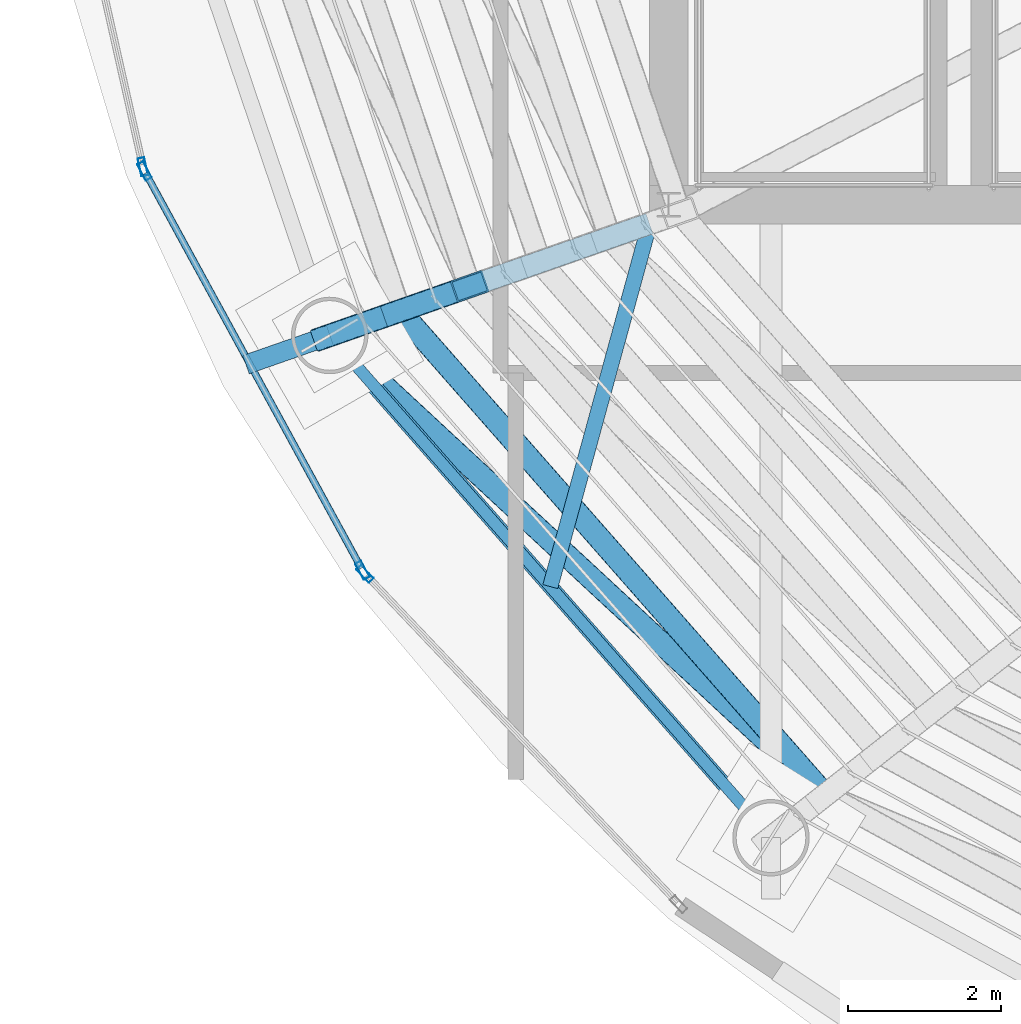
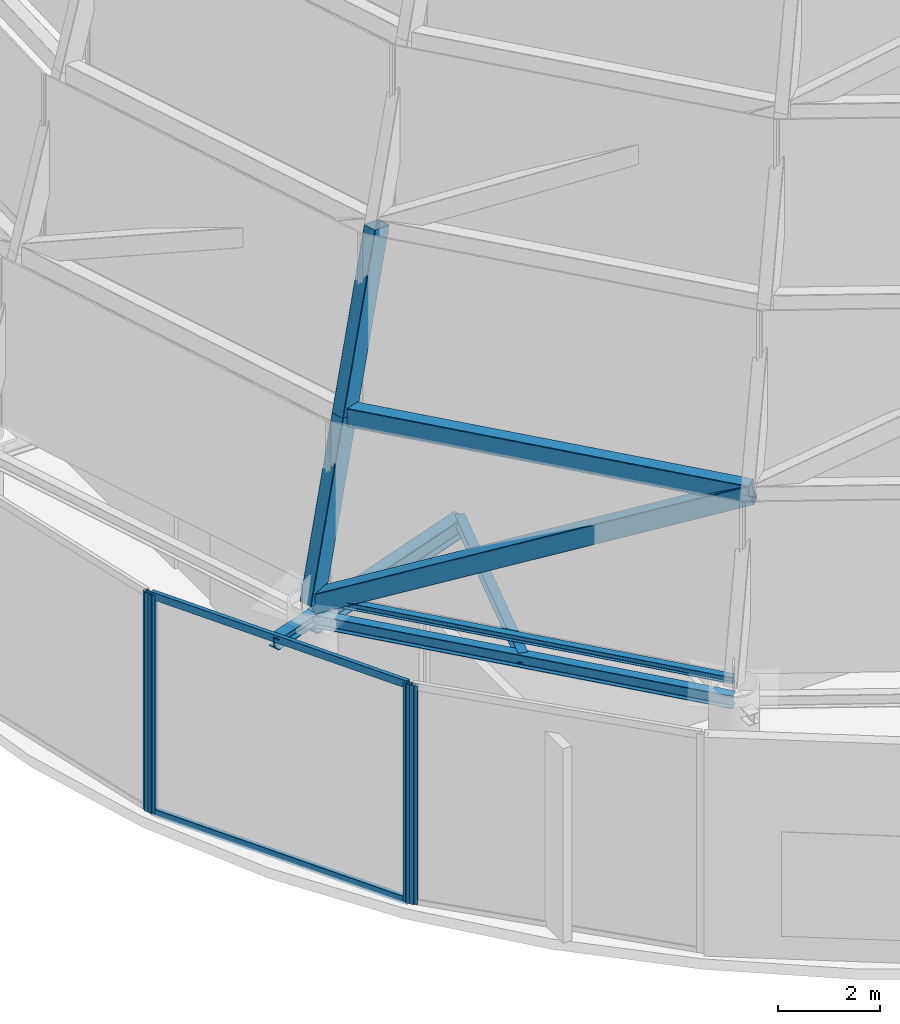
# One storey, part 5 of 40: 10 members, 5 beams, 3 elements without a shape of their own.
"""IFC4 building model written with IfcOpenShell, lengths in metres."""

import ifcopenshell
import ifcopenshell.guid

model = None  # the IFC model being written
_history = None  # IfcOwnerHistory: only IFC2X3 demands one
_inside = {}  # id of a spatial element -> (the spatial element, [elements in it])
_under = {}  # id of a project, library or spatial element -> (it, [spatial elements below it])
_declared = {}  # id of a project -> (the project, [libraries it declares])
_typed = {}  # id of a type object -> (the type object, [elements of that type])
_made_of = {}  # id of a material, layer set ... -> (it, [elements and type objects made of it])


def new_model(schema):
    """Start an empty IFC model of exactly this schema.

    Asked for "IFC4X3", IfcOpenShell would pick the latest addendum, in which some entities
    have other attributes; the version numbers below select the first issue.
    IFC2X3 requires an IfcOwnerHistory on every rooted entity: one is made here for all.
    """
    global model, _history
    if schema == "IFC4X3":
        model = ifcopenshell.file(schema_version=(4, 3, 0, 0))
    else:
        model = ifcopenshell.file(schema=schema)
    _inside.clear()
    _under.clear()
    _declared.clear()
    _typed.clear()
    _made_of.clear()
    _history = None
    if model.schema == "IFC2X3":
        org = make("IfcOrganization", Name="unknown")
        user = make(
            "IfcPersonAndOrganization",
            ThePerson=make("IfcPerson", FamilyName="unknown"),
            TheOrganization=org,
        )
        app = make(
            "IfcApplication",
            ApplicationDeveloper=org,
            Version="unknown",
            ApplicationFullName="unknown",
            ApplicationIdentifier="unknown",
        )
        _history = make(
            "IfcOwnerHistory",
            OwningUser=user,
            OwningApplication=app,
            ChangeAction="ADDED",
            CreationDate=0,
        )
    return model


def make(cls, **values):
    """One entity of the class cls with the attributes given. An attribute that is None is left unset."""
    return model.create_entity(
        cls, **{name: value for name, value in values.items() if value is not None}
    )


def rooted(cls, **values):
    """An entity with a GlobalId (a new one), such as an element, a storey or a relation."""
    return make(cls, GlobalId=ifcopenshell.guid.new(), OwnerHistory=_history, **values)


def si_unit(unit_type, name, prefix=None):
    """IfcSIUnit, for example si_unit("LENGTHUNIT", "METRE", prefix="MILLI")."""
    return make("IfcSIUnit", UnitType=unit_type, Prefix=prefix, Name=name)


def assignment(units):
    """IfcUnitAssignment: the units of a project."""
    return None if units is None else make("IfcUnitAssignment", Units=units)


def point(xyz):
    """IfcCartesianPoint."""
    return None if xyz is None else make("IfcCartesianPoint", Coordinates=xyz)


def direction(xyz):
    """IfcDirection."""
    return None if xyz is None else make("IfcDirection", DirectionRatios=xyz)


def frame(location, z_axis=None, x_axis=None):
    """IfcAxis2Placement3D, a coordinate frame: its origin and axes. An axis left out is left unset."""
    return make(
        "IfcAxis2Placement3D",
        Location=point(location),
        Axis=direction(z_axis),
        RefDirection=direction(x_axis),
    )


def frame_2d(location, x_axis=None):
    """IfcAxis2Placement2D, a coordinate frame in the plane: its origin and x axis."""
    return make(
        "IfcAxis2Placement2D", Location=point(location), RefDirection=direction(x_axis)
    )


def origin():
    """The frame at (0, 0, 0) with its axes left unset."""
    return frame((0.0, 0.0, 0.0))


def origin_2d():
    """The frame at (0, 0) in the plane with its x axis left unset."""
    return frame_2d((0.0, 0.0))


def place(relative_to, where):
    """IfcLocalPlacement: puts the frame where relative to a parent placement (None: the world)."""
    return make(
        "IfcLocalPlacement", PlacementRelTo=relative_to, RelativePlacement=where
    )


def context(
    kind, dimensions, precision=None, world=None, true_north=None, identifier=None
):
    """IfcGeometricRepresentationContext, for example the 3D "Model" context."""
    return make(
        "IfcGeometricRepresentationContext",
        ContextIdentifier=identifier,
        ContextType=kind,
        CoordinateSpaceDimension=dimensions,
        Precision=precision,
        WorldCoordinateSystem=world,
        TrueNorth=true_north,
    )


def subcontext(parent, identifier, kind, view, scale=None):
    """IfcGeometricRepresentationSubContext, for example "Body" below "Model"."""
    return make(
        "IfcGeometricRepresentationSubContext",
        ContextIdentifier=identifier,
        ContextType=kind,
        ParentContext=parent,
        TargetScale=scale,
        TargetView=view,
    )


def project(units=None, contexts=None):
    """IfcProject with its units and contexts."""
    return rooted(
        "IfcProject",
        Name="project",
        RepresentationContexts=contexts,
        UnitsInContext=assignment(units),
    )


def spatial(cls, under=None, at=None, **own):
    """A site, building, storey or space (cls), placed at a placement, below another one or the project."""
    s = rooted(cls, ObjectPlacement=at, **own)
    if under is not None:
        _under.setdefault(under.id(), (under, []))[1].append(s)
    return s


def profile(cls, at=None, kind="AREA", **sizes):
    """A parametric profile (cls). Its sizes go by their IFC names, for example OverallWidth=200.0."""
    return make(cls, ProfileType=kind, Position=at, **sizes)


def hollow_rectangle(**sizes):
    """IfcRectangleHollowProfileDef."""
    return profile("IfcRectangleHollowProfileDef", **sizes)


def i_section(**sizes):
    """IfcIShapeProfileDef."""
    return profile("IfcIShapeProfileDef", **sizes)


def extrude(swept, where, along, depth):
    """IfcExtrudedAreaSolid: the profile swept, set in the frame where, extruded along a direction by depth."""
    return make(
        "IfcExtrudedAreaSolid",
        SweptArea=swept,
        Position=where,
        ExtrudedDirection=direction(along),
        Depth=depth,
    )


def shape(context_of_items, identifier, shape_type, items):
    """IfcShapeRepresentation: the items that make up one representation, for example the "Body"."""
    return make(
        "IfcShapeRepresentation",
        ContextOfItems=context_of_items,
        RepresentationIdentifier=identifier,
        RepresentationType=shape_type,
        Items=items,
    )


def material(Name=None, Category=None):
    """IfcMaterial."""
    return make("IfcMaterial", Name=Name, Category=Category)


def layer(
    of_material, thickness, ventilated=None, Name=None, Category=None, Priority=None
):
    """IfcMaterialLayer: one layer of a wall or slab, of a material (None: an air gap)."""
    return make(
        "IfcMaterialLayer",
        Material=of_material,
        LayerThickness=thickness,
        IsVentilated=ventilated,
        Name=Name,
        Category=Category,
        Priority=Priority,
    )


def layer_set(layers, Name=None):
    """IfcMaterialLayerSet."""
    return make("IfcMaterialLayerSet", MaterialLayers=layers, LayerSetName=Name)


def material_profile(
    of_material, cross_section, Name=None, Category=None, Priority=None
):
    """IfcMaterialProfile: a cross section and its material."""
    return make(
        "IfcMaterialProfile",
        Name=Name,
        Material=of_material,
        Profile=cross_section,
        Priority=Priority,
        Category=Category,
    )


def profile_set(profiles, Name=None, composite=None):
    """IfcMaterialProfileSet."""
    return make(
        "IfcMaterialProfileSet",
        Name=Name,
        MaterialProfiles=profiles,
        CompositeProfile=composite,
    )


def made_of(thing, what):
    """Note that an element or type object is made of a material, layer set ...; save() writes the relation."""
    if what is not None:
        _made_of.setdefault(what.id(), (what, []))[1].append(thing)
    return thing


def type_object(cls, material=None, **own):
    """A type object (cls), such as IfcWallType, which elements share."""
    return made_of(rooted(cls, **own), material)


def element(
    cls,
    number,
    at=None,
    inside=None,
    cuts=None,
    type_object=None,
    material=None,
    context=None,
    identifier="Body",
    shape_type=None,
    held_by="IfcProductDefinitionShape",
    body=None,
    shapes=None,
    **own,
):
    """One element of the class cls, such as IfcWall. Its Tag is "e" and its number.

    at: its placement. inside: the storey or other place that contains it. cuts: it is an
    opening in that element (IfcRelVoidsElement). A single representation is given by context,
    identifier, shape_type and body (its items); several are given by shapes. held_by: the class
    of the entity that holds the representations. save() writes the other relations.
    """
    e = rooted(cls, Tag="e%d" % number, ObjectPlacement=at, **own)
    if body is not None:
        shapes = [shape(context, identifier, shape_type, body)]
    if shapes is not None:
        e.Representation = make(held_by, Representations=shapes)
    if inside is not None:
        _inside.setdefault(inside.id(), (inside, []))[1].append(e)
    if cuts is not None:
        rooted(
            "IfcRelVoidsElement", RelatingBuildingElement=cuts, RelatedOpeningElement=e
        )
    if type_object is not None:
        _typed.setdefault(type_object.id(), (type_object, []))[1].append(e)
    return made_of(e, material)


def aggregate(whole, parts):
    """IfcRelAggregates: a whole, such as a stair, and the parts it consists of."""
    return rooted("IfcRelAggregates", RelatingObject=whole, RelatedObjects=parts)


def save(model, path):
    """Write the relations noted so far, then the file.

    IfcRelAggregates (storeys below a building ...), IfcRelContainedInSpatialStructure (elements
    in a storey), IfcRelDefinesByType, IfcRelAssociatesMaterial and IfcRelDeclares: one each for
    every whole, place, type object, material and project.
    """
    for whole, parts in _under.values():
        aggregate(whole, parts)
    for where, things in _inside.values():
        rooted(
            "IfcRelContainedInSpatialStructure",
            RelatedElements=things,
            RelatingStructure=where,
        )
    for kind, things in _typed.values():
        rooted("IfcRelDefinesByType", RelatedObjects=things, RelatingType=kind)
    for what, things in _made_of.values():
        rooted("IfcRelAssociatesMaterial", RelatedObjects=things, RelatingMaterial=what)
    for by, libraries in _declared.values():
        rooted("IfcRelDeclares", RelatingContext=by, RelatedDefinitions=libraries)
    model.write(path)


model = new_model("IFC4")

# Units and contexts
model_context = context("Model", 3, precision=1e-05, world=origin(), true_north=direction((0.0, 1.0)))
body_context = subcontext(model_context, "Body", "Model", "MODEL_VIEW")
ifc_project = project(units=[si_unit("LENGTHUNIT", "METRE"), si_unit("AREAUNIT", "SQUARE_METRE"), si_unit("VOLUMEUNIT", "CUBIC_METRE"), si_unit("PLANEANGLEUNIT", "RADIAN"), si_unit("MASSUNIT", "GRAM", prefix="KILO")], contexts=[model_context])

# Site, building, storey
site_placement = place(None, origin())
site = spatial("IfcSite", under=ifc_project, at=site_placement, CompositionType="ELEMENT")
building_placement = place(site_placement, origin())
building = spatial("IfcBuilding", under=site, at=building_placement, Name="Bramvorn Convention Spire", CompositionType="ELEMENT")
storey_placement = place(building_placement, frame((0.0, 0.0, 312.5)))
storey = spatial("IfcBuildingStorey", under=building, at=storey_placement, Name="L79", CompositionType="ELEMENT", Elevation=312.5)

# Beams
ifc_material_1 = material(Name="Steel CSA G40.21 Grade 350 (350W)", Category="steel")
ifc_material_profile_1 = material_profile(ifc_material_1, i_section(OverallWidth=0.152099609375, OverallDepth=0.152099609375, WebThickness=0.005859375, FlangeThickness=0.006591796875, FilletRadius=0.008056640625, at=origin_2d()))
ifc_profile_set_1 = profile_set([ifc_material_profile_1], Name="Steel CSA G40.21 Grade 350 (350W) - W150X22")
beam_type_1 = type_object("IfcBeamType", Name="BM-W150X22", PredefinedType="USERDEFINED", material=ifc_profile_set_1)
beam_1_placement = place(storey_placement, frame((22.5673828125, 17.090087890625, 5.60009765625), z_axis=(0.660073062339, -0.751201405999, 0.0), x_axis=(0.751201405999, 0.660073062339, 0.0)))
element("IfcBeam", 1, at=beam_1_placement, inside=storey, type_object=beam_type_1, Name="Crown spire base glazing purlin 13", ObjectType="PURLIN", PredefinedType="USERDEFINED", context=body_context, shape_type="SweptSolid", body=[
    extrude(i_section(OverallWidth=0.152099609375, OverallDepth=0.152099609375, WebThickness=0.005859375, FlangeThickness=0.006591796875, FilletRadius=0.008056640625, at=origin_2d()), origin(), (0.0, 0.0, 1.0), 8.741943359375),
])
ifc_material_profile_2 = material_profile(ifc_material_1, i_section(OverallWidth=0.201904296875, OverallDepth=0.2470703125, WebThickness=0.00732421875, FlangeThickness=0.010986328125, FilletRadius=0.011962890625, at=origin_2d()))
ifc_profile_set_2 = profile_set([ifc_material_profile_2], Name="Steel CSA G40.21 Grade 350 (350W) - W250X49")
beam_type_2 = type_object("IfcBeamType", Name="BM-W250X49", PredefinedType="JOIST", material=ifc_profile_set_2)
beam_2_placement = place(storey_placement, frame((26.75, 18.550048828125, 5.12646484375), z_axis=(-0.26386506219, -0.96455960363, 0.0), x_axis=(0.96455960363, -0.26386506219, 0.0)))
element("IfcBeam", 2, at=beam_2_placement, inside=storey, type_object=beam_type_2, Name="L79 composite floor joist 13", PredefinedType="JOIST", context=body_context, shape_type="SweptSolid", body=[
    extrude(i_section(OverallWidth=0.201904296875, OverallDepth=0.2470703125, WebThickness=0.00732421875, FlangeThickness=0.010986328125, FilletRadius=0.011962890625, at=origin_2d()), origin(), (0.0, 0.0, 1.0), 4.917724609375),
])
ifc_material_profile_3 = material_profile(ifc_material_1, i_section(OverallWidth=0.25390625, OverallDepth=0.2529296875, WebThickness=0.008544921875, FlangeThickness=0.01416015625, FilletRadius=0.011962890625, at=origin_2d()))
ifc_profile_set_3 = profile_set([ifc_material_profile_3], Name="Steel CSA G40.21 Grade 350 (350W) - W250X73")
beam_type_3 = type_object("IfcBeamType", Name="BM-W250X73", PredefinedType="BEAM", material=ifc_profile_set_3)
beam_3_placement = place(storey_placement, frame((22.5673828125, 17.090087890625, 5.12353515625), z_axis=(-0.944143784709, -0.329533782478, 0.0), x_axis=(0.329533782478, -0.944143784709, 0.0)))
element("IfcBeam", 3, at=beam_3_placement, inside=storey, type_object=beam_type_3, Name="L79 slab-edge cantilever tip beam MC13", PredefinedType="BEAM", context=body_context, shape_type="SweptSolid", body=[
    extrude(i_section(OverallWidth=0.25390625, OverallDepth=0.2529296875, WebThickness=0.008544921875, FlangeThickness=0.01416015625, FilletRadius=0.011962890625, at=origin_2d()), origin(), (0.0, 0.0, 1.0), 1.15869140625),
])
ifc_material_profile_4 = material_profile(ifc_material_1, i_section(OverallWidth=0.202880859375, OverallDepth=0.302978515625, WebThickness=0.007568359375, FlangeThickness=0.01318359375, FilletRadius=0.013916015625, at=origin_2d()))
ifc_profile_set_4 = profile_set([ifc_material_profile_4], Name="Steel CSA G40.21 Grade 350 (350W) - W310X60")
beam_type_4 = type_object("IfcBeamType", Name="BM-W310X60", PredefinedType="JOIST", material=ifc_profile_set_4)
beam_4_placement = place(storey_placement, frame((22.5673828125, 17.090087890625, 5.098388671875), z_axis=(0.660073062339, -0.751201405999, 0.0), x_axis=(0.751201405999, 0.660073062339, 0.0)))
element("IfcBeam", 4, at=beam_4_placement, inside=storey, type_object=beam_type_4, Name="L79 mega-column ring beam 13", PredefinedType="JOIST", context=body_context, shape_type="SweptSolid", body=[
    extrude(i_section(OverallWidth=0.202880859375, OverallDepth=0.302978515625, WebThickness=0.007568359375, FlangeThickness=0.01318359375, FilletRadius=0.013916015625, at=origin_2d()), origin(), (0.0, 0.0, 1.0), 8.741943359375),
])
ifc_material_profile_5 = material_profile(ifc_material_1, i_section(OverallWidth=0.283935546875, OverallDepth=0.47607421875, WebThickness=0.014892578125, FlangeThickness=0.02392578125, FilletRadius=0.01806640625, at=origin_2d()))
ifc_profile_set_5 = profile_set([ifc_material_profile_5], Name="Steel CSA G40.21 Grade 350 (350W) - W460X158")
beam_type_5 = type_object("IfcBeamType", Name="BM-W460X158", PredefinedType="SPANDREL", material=ifc_profile_set_5)
beam_5_placement = place(storey_placement, frame((26.75, 18.550048828125, 5.011962890625), z_axis=(-0.944136391877, -0.329554962843, 0.0), x_axis=(0.329554962843, -0.944136391877, 0.0)))
element("IfcBeam", 5, at=beam_5_placement, inside=storey, type_object=beam_type_5, Name="L79 radial floor girder MC13", PredefinedType="SPANDREL", context=body_context, shape_type="SweptSolid", body=[
    extrude(i_section(OverallWidth=0.283935546875, OverallDepth=0.47607421875, WebThickness=0.014892578125, FlangeThickness=0.02392578125, FilletRadius=0.01806640625, at=origin_2d()), origin(), (0.0, 0.0, 1.0), 4.43017578125),
])

# Curtain wall, member
ifc_material_2 = material(Name="Anodised Bronze Unitised Curtain Wall", Category="aluminium")
ifc_layer = layer(ifc_material_2, 0.199951171875)
ifc_layer_set = layer_set([ifc_layer], Name="Anodised Bronze Unitised Curtain Wall - CW-CROWN-SPIRE")
curtain_wall_type = type_object("IfcCurtainWallType", Name="CW-CROWN-SPIRE", PredefinedType="USERDEFINED", material=ifc_layer_set)
curtain_wall_1_placement = place(storey_placement, origin())
curtain_wall_1 = element("IfcCurtainWall", 6, at=curtain_wall_1_placement, inside=storey, type_object=curtain_wall_type, Name="L79 fritted glass curtain wall 18", ObjectType="UNITISED CURTAIN WALL", PredefinedType="USERDEFINED")
ifc_material_3 = material(Name="Anodised Bronze Aluminium 6063-T6", Category="aluminium")
ifc_material_profile_6 = material_profile(ifc_material_3, hollow_rectangle(XDim=0.090087890625, YDim=0.239990234375, WallThickness=0.00439453125, InnerFilletRadius=0.0009765625, OuterFilletRadius=0.00439453125, at=origin_2d()))
ifc_profile_set_6 = profile_set([ifc_material_profile_6], Name="Anodised Bronze Aluminium 6063-T6 - CWM90X240")
member_type_1 = type_object("IfcMemberType", Name="CW-MUL-220", PredefinedType="MULLION", material=ifc_profile_set_6)
member_1_placement = place(storey_placement, frame((20.125732421875, 19.29541015625, 0.0), z_axis=(0.0, 0.0, 1.0), x_axis=(-0.975644956553, -0.219355690041, 0.0)))
member_1 = element("IfcMember", 7, at=member_1_placement, type_object=member_type_1, Name="CW6 mullion 1", PredefinedType="MULLION", context=body_context, shape_type="SweptSolid", body=[
    extrude(hollow_rectangle(XDim=0.090087890625, YDim=0.239990234375, WallThickness=0.00439453125, InnerFilletRadius=0.0009765625, OuterFilletRadius=0.00439453125, at=origin_2d()), origin(), (0.0, 0.0, 1.0), 5.25),
])
aggregate(curtain_wall_1, [member_1])

# Curtain wall, members
curtain_wall_2_placement = place(storey_placement, origin())
curtain_wall_2 = element("IfcCurtainWall", 8, at=curtain_wall_2_placement, inside=storey, type_object=curtain_wall_type, Name="L79 fritted glass curtain wall 19", ObjectType="UNITISED CURTAIN WALL", PredefinedType="USERDEFINED")
member_2_placement = place(storey_placement, frame((22.99560546875, 14.02099609375, 0.0), z_axis=(0.0, 0.0, 1.0), x_axis=(-0.87773898869, -0.479139090174, 0.0)))
member_2 = element("IfcMember", 9, at=member_2_placement, type_object=member_type_1, Name="CW6 mullion 1", PredefinedType="MULLION", context=body_context, shape_type="SweptSolid", body=[
    extrude(hollow_rectangle(XDim=0.090087890625, YDim=0.239990234375, WallThickness=0.00439453125, InnerFilletRadius=0.0009765625, OuterFilletRadius=0.00439453125, at=origin_2d()), origin(), (0.0, 0.0, 1.0), 5.25),
])
member_3_placement = place(storey_placement, frame((20.146728515625, 19.23974609375, 0.0), z_axis=(0.0, 0.0, 1.0), x_axis=(-0.87773898869, -0.479139090174, 0.0)))
member_3 = element("IfcMember", 10, at=member_3_placement, type_object=member_type_1, Name="CW6 mullion 2", PredefinedType="MULLION", context=body_context, shape_type="SweptSolid", body=[
    extrude(hollow_rectangle(XDim=0.090087890625, YDim=0.239990234375, WallThickness=0.00439453125, InnerFilletRadius=0.0009765625, OuterFilletRadius=0.00439453125, at=origin_2d()), origin(), (0.0, 0.0, 1.0), 5.25),
])

# Curtain wall, member
curtain_wall_3_placement = place(storey_placement, origin())
curtain_wall_3 = element("IfcCurtainWall", 11, at=curtain_wall_3_placement, inside=storey, type_object=curtain_wall_type, Name="L79 fritted glass curtain wall 20", ObjectType="UNITISED CURTAIN WALL", PredefinedType="USERDEFINED")
member_4_placement = place(storey_placement, frame((23.03076171875, 13.972900390625, 0.0), z_axis=(0.0, 0.0, 1.0), x_axis=(-0.725223130248, -0.688513915149, 0.0)))
member_4 = element("IfcMember", 12, at=member_4_placement, type_object=member_type_1, Name="CW6 mullion 2", PredefinedType="MULLION", context=body_context, shape_type="SweptSolid", body=[
    extrude(hollow_rectangle(XDim=0.090087890625, YDim=0.239990234375, WallThickness=0.00439453125, InnerFilletRadius=0.0009765625, OuterFilletRadius=0.00439453125, at=origin_2d()), origin(), (0.0, 0.0, 1.0), 5.25),
])
aggregate(curtain_wall_3, [member_4])

# Member
ifc_material_profile_7 = material_profile(ifc_material_3, hollow_rectangle(XDim=0.090087890625, YDim=0.179931640625, WallThickness=0.00439453125, InnerFilletRadius=0.0009765625, OuterFilletRadius=0.00439453125, at=origin_2d()))
ifc_profile_set_7 = profile_set([ifc_material_profile_7], Name="Anodised Bronze Aluminium 6063-T6 - CWT90X180")
member_type_2 = type_object("IfcMemberType", Name="CW-TRN-180", PredefinedType="USERDEFINED", material=ifc_profile_set_7)
member_5_placement = place(storey_placement, frame((22.981201171875, 14.04736328125, 0.030029296875), z_axis=(-0.479128195797, 0.877744935612, 0.0), x_axis=(-0.877744935612, -0.479128195797, 0.0)))
member_5 = element("IfcMember", 13, at=member_5_placement, type_object=member_type_2, Name="CW6 transom 1.1", ObjectType="TRANSOM", PredefinedType="USERDEFINED", context=body_context, shape_type="SweptSolid", body=[
    extrude(hollow_rectangle(XDim=0.090087890625, YDim=0.179931640625, WallThickness=0.00439453125, InnerFilletRadius=0.0009765625, OuterFilletRadius=0.00439453125, at=origin_2d()), origin(), (0.0, 0.0, 1.0), 5.8857421875),
])

member_6_placement = place(storey_placement, frame((22.981201171875, 14.04736328125, 5.219970703125), z_axis=(-0.479128195797, 0.877744935612, 0.0), x_axis=(-0.877744935612, -0.479128195797, 0.0)))
member_6 = element("IfcMember", 14, at=member_6_placement, type_object=member_type_2, Name="CW6 transom 1.2", ObjectType="TRANSOM", PredefinedType="USERDEFINED", context=body_context, shape_type="SweptSolid", body=[
    extrude(hollow_rectangle(XDim=0.090087890625, YDim=0.179931640625, WallThickness=0.00439453125, InnerFilletRadius=0.0009765625, OuterFilletRadius=0.00439453125, at=origin_2d()), origin(), (0.0, 0.0, 1.0), 5.8857421875),
])

aggregate(curtain_wall_2, [member_2, member_3, member_5, member_6])

# Members
ifc_material_profile_8 = material_profile(ifc_material_1, hollow_rectangle(XDim=0.300048828125, YDim=0.449951171875, WallThickness=0.02001953125, InnerFilletRadius=0.00390625, OuterFilletRadius=0.02392578125, at=origin_2d()))
ifc_profile_set_8 = profile_set([ifc_material_profile_8], Name="Steel CSA G40.21 Grade 350 (350W) - CROWN450X300X20")
member_type_3 = type_object("IfcMemberType", Name="MBR-CROWN450X300X20", PredefinedType="USERDEFINED", material=ifc_profile_set_8)
member_7_placement = place(storey_placement, frame((22.5673828125, 17.090087890625, 5.5), z_axis=(0.222433641809, 0.07794074809, 0.971827409975), x_axis=(-0.330686703301, 0.943740591614, 0.0)))
element("IfcMember", 15, at=member_7_placement, inside=storey, type_object=member_type_3, Name="Crown spire CROWN FRAME rib T1-13", ObjectType="CROWN FRAME", PredefinedType="USERDEFINED", context=body_context, shape_type="SweptSolid", body=[
    extrude(hollow_rectangle(XDim=0.300048828125, YDim=0.449951171875, WallThickness=0.02001953125, InnerFilletRadius=0.00390625, OuterFilletRadius=0.02392578125, at=origin_2d()), origin(), (0.0, 0.0, 1.0), 4.115966796875),
])
member_8_placement = place(storey_placement, frame((23.48291015625, 17.410888671875, 9.5), z_axis=(0.660066061838, -0.75120755721, 0.0), x_axis=(0.75120755721, 0.660066061838, 0.0)))
element("IfcMember", 16, at=member_8_placement, inside=storey, type_object=member_type_3, Name="Crown spire CROWN FRAME ring beam T1-13", ObjectType="CROWN FRAME", PredefinedType="USERDEFINED", context=body_context, shape_type="SweptSolid", body=[
    extrude(hollow_rectangle(XDim=0.300048828125, YDim=0.449951171875, WallThickness=0.02001953125, InnerFilletRadius=0.00390625, OuterFilletRadius=0.02392578125, at=origin_2d()), origin(), (0.0, 0.0, 1.0), 8.42724609375),
])
member_9_placement = place(storey_placement, frame((22.5673828125, 17.090087890625, 5.5), z_axis=(0.6678658338, -0.619589408488, 0.41238840058), x_axis=(0.680114030019, 0.733106340288, 0.0)))
element("IfcMember", 17, at=member_9_placement, inside=storey, type_object=member_type_3, Name="Crown spire CROWN FRAME wind brace T1-13", ObjectType="CROWN FRAME", PredefinedType="USERDEFINED", context=body_context, shape_type="SweptSolid", body=[
    extrude(hollow_rectangle(XDim=0.300048828125, YDim=0.449951171875, WallThickness=0.02001953125, InnerFilletRadius=0.00390625, OuterFilletRadius=0.02392578125, at=origin_2d()), origin(), (0.0, 0.0, 1.0), 9.69970703125),
])
member_10_placement = place(storey_placement, frame((23.48291015625, 17.410888671875, 9.5), z_axis=(0.222434669759, 0.077881792372, 0.971831901157), x_axis=(-0.330462531572, 0.943819111497, 0.0)))
element("IfcMember", 18, at=member_10_placement, inside=storey, type_object=member_type_3, Name="Crown spire CROWN FRAME rib T2-13", ObjectType="CROWN FRAME", PredefinedType="USERDEFINED", context=body_context, shape_type="SweptSolid", body=[
    extrude(hollow_rectangle(XDim=0.300048828125, YDim=0.449951171875, WallThickness=0.02001953125, InnerFilletRadius=0.00390625, OuterFilletRadius=0.02392578125, at=origin_2d()), origin(), (0.0, 0.0, 1.0), 4.115966796875),
])

save(model, "model.ifc")
